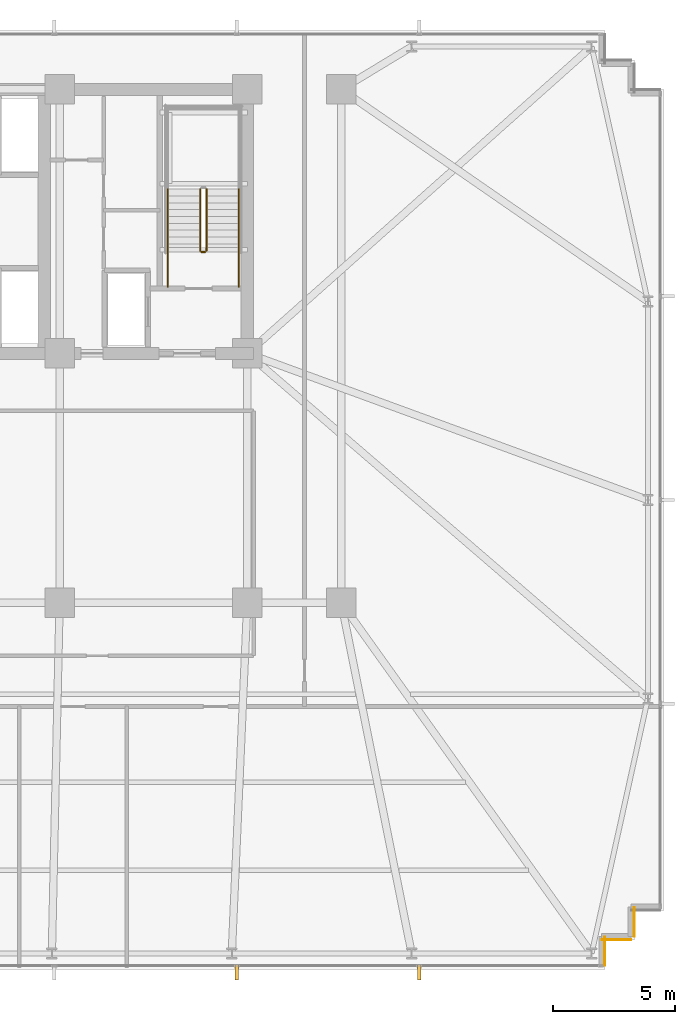
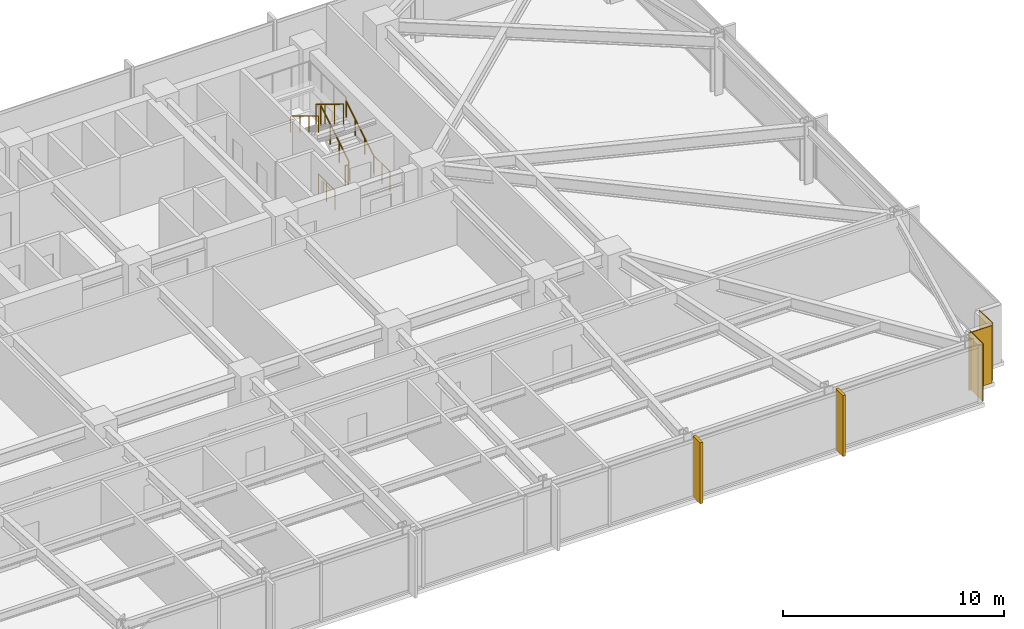
# One storey, part 29 of 32: 7 railings, 3 coverings, 2 shading devices.
"""IFC4 building model written with IfcOpenShell, lengths in metres."""

from ifc_helpers import new_model, si_unit, direction, frame, frame_2d, origin, origin_2d, place, context, subcontext, project, spatial, rectangle, circle, extrude, material, layer, layer_set, type_object, element, save


model = new_model("IFC4")

# Units and contexts
model_context = context("Model", 3, precision=1e-05, world=origin(), true_north=direction((0.0, 1.0)))
body_context = subcontext(model_context, "Body", "Model", "MODEL_VIEW")
ifc_project = project(units=[si_unit("LENGTHUNIT", "METRE"), si_unit("AREAUNIT", "SQUARE_METRE"), si_unit("VOLUMEUNIT", "CUBIC_METRE"), si_unit("PLANEANGLEUNIT", "RADIAN"), si_unit("MASSUNIT", "GRAM", prefix="KILO")], contexts=[model_context])

# Site, building, storey
site_placement = place(None, origin())
site = spatial("IfcSite", under=ifc_project, at=site_placement, CompositionType="ELEMENT")
building_placement = place(site_placement, origin())
building = spatial("IfcBuilding", under=site, at=building_placement, Name="Yelkora Congress Tower", CompositionType="ELEMENT")
storey_placement = place(building_placement, frame((0.0, 0.0, 40.60009765625)))
storey = spatial("IfcBuildingStorey", under=building, at=storey_placement, Name="L09", CompositionType="ELEMENT", Elevation=40.60009765625)

# Coverings
ifc_material_1 = material(Name="Anatolian bush-hammered limestone", Category="masonry")
ifc_layer_1 = layer(ifc_material_1, 0.0400390625)
ifc_layer_set_1 = layer_set([ifc_layer_1], Name="Anatolian bush-hammered limestone")
covering_type = type_object("IfcCoveringType", Name="COV-CLAD-SPANDREL-40", PredefinedType="CLADDING", material=ifc_layer_set_1)
for number, where, z_axis, x_axis, name in (
    (1, (69.594970703125, 12.739990234375, 0.0), (0.0, 0.0, 1.0), (0.0, -1.0, 0.0), "L09 Anatolian Limestone Cladding EW-L09-SR17"),
    (2, (69.4599609375, 11.405029296875, 0.0), (0.0, 0.0, 1.0), (-1.0, 0.0, 0.0), "L09 Anatolian Limestone Cladding EW-L09-SR18"),
    (3, (68.39501953125, 11.5400390625, 0.0), (0.0, 0.0, 1.0), (0.0, -1.0, 0.0), "L09 Anatolian Limestone Cladding EW-L09-SR19"),
):
    element("IfcCovering", number, at=place(storey_placement, frame(where, z_axis=z_axis, x_axis=x_axis)), inside=storey, type_object=covering_type, Name=name, PredefinedType="CLADDING", context=body_context, shape_type="SweptSolid", body=[
        extrude(rectangle(XDim=1.199951171875, YDim=0.0400390625, at=frame_2d((0.60009765625, 0.0))), origin(), (0.0, 0.0, 1.0), 3.179931640625),
    ])

# Railings
ifc_material_2 = material(Name="Painted galvanised steel stair well guard with vertical infill", Category="steel")
ifc_layer_2 = layer(ifc_material_2, 0.06005859375)
ifc_layer_set_2 = layer_set([ifc_layer_2], Name="Painted galvanised steel stair well guard with vertical infill")
railing_type_1 = type_object("IfcRailingType", Name="RAIL-STAIR-GUARD-1120", PredefinedType="GUARDRAIL", material=ifc_layer_set_2)
railing_1_placement = place(storey_placement, frame((52.090087890625, 39.60009765625, 0.169921875)))
element("IfcRailing", 4, at=railing_1_placement, inside=storey, type_object=railing_type_1, Name="ST-02 L09 Stair Well Guardrail 1", PredefinedType="GUARDRAIL", context=body_context, shape_type="SweptSolid", body=[
    extrude(circle(Radius=0.02392578125, at=origin_2d()), frame((0.0, 0.0, 1.09619140625), z_axis=(0.0, 0.85478489116, 0.518982456201), x_axis=(-1.0, 0.0, 0.0)), (0.0, 0.0, 1.0), 2.9482421875),
    extrude(circle(Radius=0.02099609375, at=origin_2d()), origin(), (0.0, 0.0, 1.0), 1.072021484375),
    extrude(circle(Radius=0.02099609375, at=origin_2d()), frame((0.0, 0.840087890625, 0.510009765625)), (0.0, 0.0, 1.0), 1.072021484375),
    extrude(circle(Radius=0.02099609375, at=origin_2d()), frame((0.0, 1.679931640625, 1.02001953125)), (0.0, 0.0, 1.0), 1.072021484375),
    extrude(circle(Radius=0.02099609375, at=origin_2d()), frame((0.0, 2.52001953125, 1.530029296875)), (0.0, 0.0, 1.0), 1.072021484375),
])
railing_2_placement = place(storey_placement, frame((51.830078125, 42.1201171875, 1.869873046875)))
element("IfcRailing", 5, at=railing_2_placement, inside=storey, type_object=railing_type_1, Name="ST-02 L09 Stair Well Guardrail 6", PredefinedType="GUARDRAIL", context=body_context, shape_type="SweptSolid", body=[
    extrude(circle(Radius=0.02392578125, at=origin_2d()), frame((0.0, 0.0, 1.09619140625), z_axis=(0.0, -0.85478489116, 0.518982456201), x_axis=(1.0, 0.0, 0.0)), (0.0, 0.0, 1.0), 2.9482421875),
    extrude(circle(Radius=0.02099609375, at=origin_2d()), origin(), (0.0, 0.0, 1.0), 1.072021484375),
    extrude(circle(Radius=0.02099609375, at=origin_2d()), frame((0.0, -0.840087890625, 0.510009765625)), (0.0, 0.0, 1.0), 1.072021484375),
    extrude(circle(Radius=0.02099609375, at=origin_2d()), frame((0.0, -1.679931640625, 1.02001953125)), (0.0, 0.0, 1.0), 1.072021484375),
    extrude(circle(Radius=0.02099609375, at=origin_2d()), frame((0.0, -2.52001953125, 1.530029296875)), (0.0, 0.0, 1.0), 1.072021484375),
])
railing_3_placement = place(storey_placement, frame((52.0400390625, 39.550048828125, 0.0)))
element("IfcRailing", 6, at=railing_3_placement, inside=storey, type_object=railing_type_1, Name="ST-02 L09 Stair Well Guardrail 7", PredefinedType="GUARDRAIL", context=body_context, shape_type="SweptSolid", body=[
    extrude(circle(Radius=0.02392578125, at=origin_2d()), frame((0.0, 0.0, 1.09619140625), z_axis=(-1.0, 0.0, 0.0), x_axis=(0.0, -1.0, 0.0)), (0.0, 0.0, 1.0), 0.16015625),
    extrude(circle(Radius=0.02099609375, at=origin_2d()), origin(), (0.0, 0.0, 1.0), 1.072021484375),
    extrude(circle(Radius=0.02099609375, at=origin_2d()), frame((-0.16015625, 0.0, 0.0)), (0.0, 0.0, 1.0), 1.072021484375),
])
for number, where, name in (
    (7, (53.409912109375, 38.1201171875, 0.0), "ST-02 L09 Stair Well Guardrail 8"),
    (8, (50.510009765625, 38.1201171875, 0.0), "ST-02 L09 Stair Well Guardrail 9"),
):
    element("IfcRailing", number, at=place(storey_placement, frame(where)), inside=storey, type_object=railing_type_1, Name=name, PredefinedType="GUARDRAIL", context=body_context, shape_type="SweptSolid", body=[
        extrude(circle(Radius=0.02392578125, at=origin_2d()), frame((0.0, 0.0, 1.09619140625), z_axis=(0.0, 1.0, 0.0), x_axis=(-1.0, 0.0, 0.0)), (0.0, 0.0, 1.0), 1.47998046875),
        extrude(circle(Radius=0.02099609375, at=origin_2d()), origin(), (0.0, 0.0, 1.0), 1.072021484375),
        extrude(circle(Radius=0.02099609375, at=origin_2d()), frame((0.0, 0.739990234375, 0.0)), (0.0, 0.0, 1.0), 1.072021484375),
        extrude(circle(Radius=0.02099609375, at=origin_2d()), frame((0.0, 1.47998046875, 0.0)), (0.0, 0.0, 1.0), 1.072021484375),
    ])
ifc_material_3 = material(Name="Brushed stainless steel tubular handrail", Category="steel")
ifc_layer_3 = layer(ifc_material_3, 0.050048828125)
ifc_layer_set_3 = layer_set([ifc_layer_3], Name="Brushed stainless steel tubular handrail")
railing_type_2 = type_object("IfcRailingType", Name="RAIL-STAIR-HAND-920", PredefinedType="HANDRAIL", material=ifc_layer_set_3)
railing_4_placement = place(storey_placement, frame((53.409912109375, 39.60009765625, 0.169921875)))
element("IfcRailing", 9, at=railing_4_placement, inside=storey, type_object=railing_type_2, Name="ST-02 L09 Pitch Handrail 1", PredefinedType="HANDRAIL", context=body_context, shape_type="SweptSolid", body=[
    extrude(circle(Radius=0.02392578125, at=origin_2d()), frame((0.0, 0.0, 0.89599609375), z_axis=(0.0, 0.85478489116, 0.518982456201), x_axis=(-1.0, 0.0, 0.0)), (0.0, 0.0, 1.0), 2.9482421875),
    extrude(circle(Radius=0.02099609375, at=origin_2d()), origin(), (0.0, 0.0, 1.0), 0.871826171875),
    extrude(circle(Radius=0.02099609375, at=origin_2d()), frame((0.0, 0.840087890625, 0.510009765625)), (0.0, 0.0, 1.0), 0.871826171875),
    extrude(circle(Radius=0.02099609375, at=origin_2d()), frame((0.0, 1.679931640625, 1.02001953125)), (0.0, 0.0, 1.0), 0.871826171875),
    extrude(circle(Radius=0.02099609375, at=origin_2d()), frame((0.0, 2.52001953125, 1.530029296875)), (0.0, 0.0, 1.0), 0.871826171875),
])
railing_5_placement = place(storey_placement, frame((50.510009765625, 42.1201171875, 1.869873046875)))
element("IfcRailing", 10, at=railing_5_placement, inside=storey, type_object=railing_type_2, Name="ST-02 L09 Pitch Handrail 2", PredefinedType="HANDRAIL", context=body_context, shape_type="SweptSolid", body=[
    extrude(circle(Radius=0.02392578125, at=origin_2d()), frame((0.0, 0.0, 0.89599609375), z_axis=(0.0, -0.85478489116, 0.518982456201), x_axis=(1.0, 0.0, 0.0)), (0.0, 0.0, 1.0), 2.9482421875),
    extrude(circle(Radius=0.02099609375, at=origin_2d()), origin(), (0.0, 0.0, 1.0), 0.871826171875),
    extrude(circle(Radius=0.02099609375, at=origin_2d()), frame((0.0, -0.840087890625, 0.510009765625)), (0.0, 0.0, 1.0), 0.871826171875),
    extrude(circle(Radius=0.02099609375, at=origin_2d()), frame((0.0, -1.679931640625, 1.02001953125)), (0.0, 0.0, 1.0), 0.871826171875),
    extrude(circle(Radius=0.02099609375, at=origin_2d()), frame((0.0, -2.52001953125, 1.530029296875)), (0.0, 0.0, 1.0), 0.871826171875),
])

# Shading devices
ifc_material_4 = material(Name="Champagne anodised aluminium", Category="aluminium")
ifc_layer_4 = layer(ifc_material_4, 3.39990234375)
ifc_layer_set_4 = layer_set([ifc_layer_4], Name="Champagne anodised aluminium")
shading_device_type = type_object("IfcShadingDeviceType", Name="SHD-FIN-ALU-640", PredefinedType="USERDEFINED", material=ifc_layer_set_4)
for number, where, z_axis, x_axis, name in (
    (11, (60.794921875, 10.080078125, -0.030029296875), (0.0, 0.0, 1.0), (-1.0, 0.0, 0.0), "L09 Vertical Anodised Solar Fin 20-1"),
    (12, (53.330078125, 10.080078125, -0.030029296875), (0.0, 0.0, 1.0), (-1.0, 0.0, 0.0), "L09 Vertical Anodised Solar Fin 20-2"),
):
    element("IfcShadingDevice", number, at=place(storey_placement, frame(where, z_axis=z_axis, x_axis=x_axis)), inside=storey, type_object=shading_device_type, Name=name, ObjectType="FIN", PredefinedType="USERDEFINED", context=body_context, shape_type="SweptSolid", body=[
        extrude(rectangle(XDim=0.139892578125, YDim=0.639892578125, at=origin_2d()), origin(), (0.0, 0.0, 1.0), 3.3798828125),
    ])

save(model, "model.ifc")
